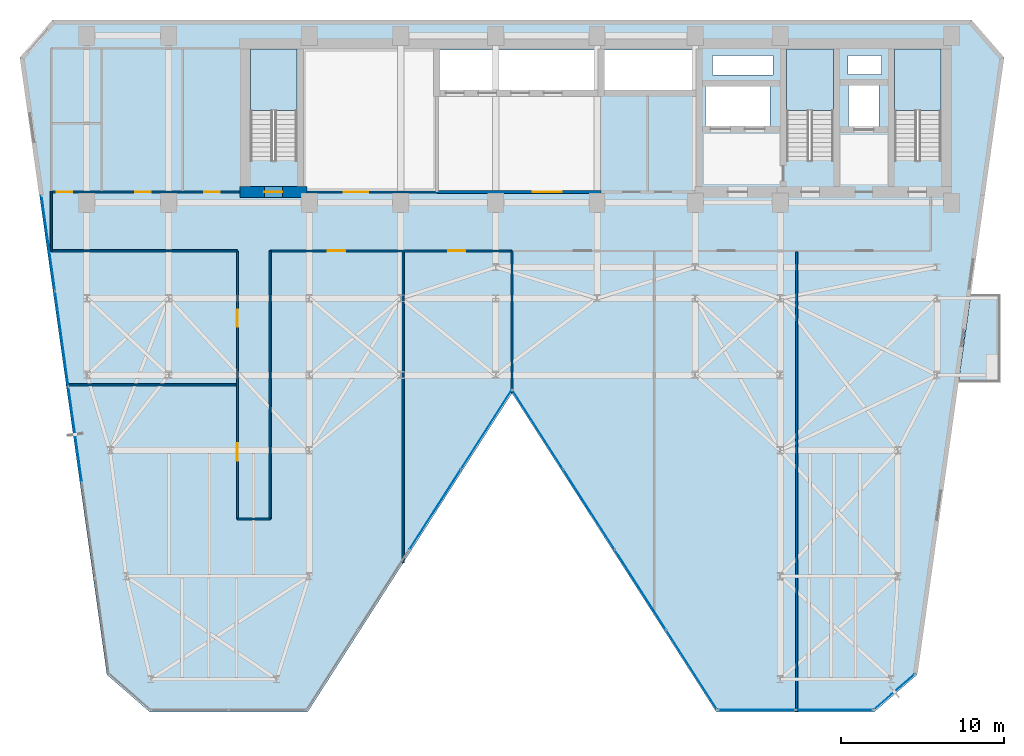
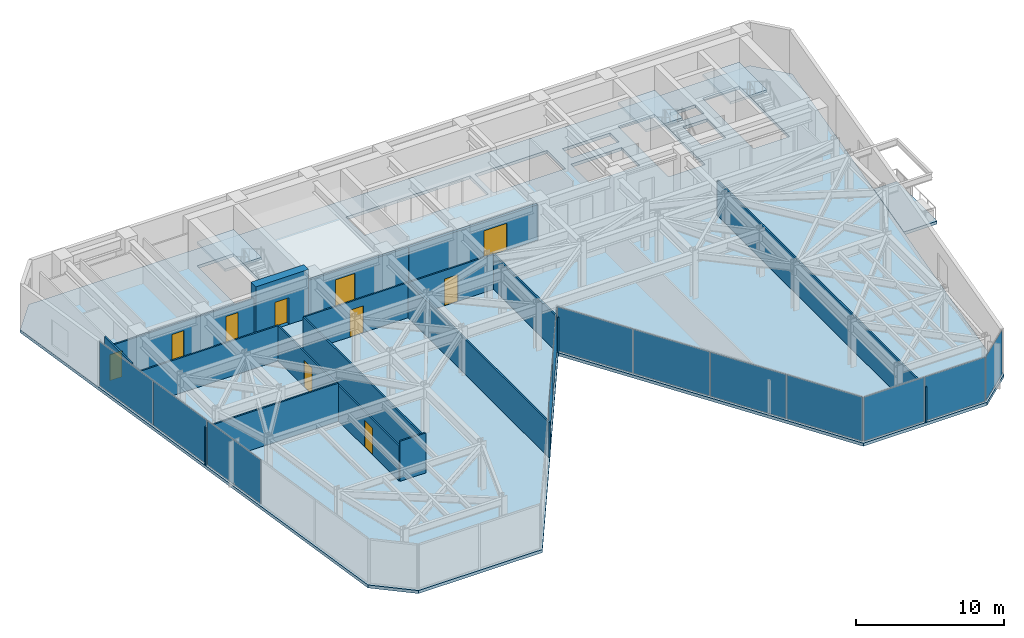
# One storey, part 21 of 26: 14 walls, 12 plates, 10 doors, 5 slabs, 10 openings, 8 elements without a shape of their own.
"""IFC4 building model written with IfcOpenShell, lengths in metres."""

from ifc_helpers import new_model, si_unit, direction, frame, frame_2d, origin, origin_2d, place, context, subcontext, project, spatial, polyline, rectangle, outline, extrude, material, layer, layer_set, type_object, element, fill, aggregate, save


model = new_model("IFC4")

# Units and contexts
model_context = context("Model", 3, precision=1e-05, world=origin(), true_north=direction((0.0, 1.0)))
body_context = subcontext(model_context, "Body", "Model", "MODEL_VIEW")
ifc_project = project(units=[si_unit("LENGTHUNIT", "METRE"), si_unit("AREAUNIT", "SQUARE_METRE"), si_unit("VOLUMEUNIT", "CUBIC_METRE"), si_unit("PLANEANGLEUNIT", "RADIAN"), si_unit("MASSUNIT", "GRAM", prefix="KILO")], contexts=[model_context])

# Site, building, storey
site_placement = place(None, origin())
site = spatial("IfcSite", under=ifc_project, at=site_placement, CompositionType="ELEMENT")
building_placement = place(site_placement, origin())
building = spatial("IfcBuilding", under=site, at=building_placement, Name="Kravanh Interchange Tower", CompositionType="ELEMENT")
storey_placement = place(building_placement, frame((0.0, 0.0, 116.0)))
storey = spatial("IfcBuildingStorey", under=building, at=storey_placement, Name="L27", CompositionType="ELEMENT", Elevation=116.0)

# Slab
ifc_material_1 = material(Name="Concrete C50/60", Category="concrete")
ifc_layer_1 = layer(ifc_material_1, 0.25)
ifc_layer_set_1 = layer_set([ifc_layer_1], Name="Composite Floor Slab Concrete C50/60 250mm")
slab_type_1 = type_object("IfcSlabType", Name="Composite Floor Slab Concrete C50/60 250mm", PredefinedType="FLOOR", material=ifc_layer_set_1)
slab_1_placement = place(storey_placement, frame((0.0, 0.0, -0.25)))
element("IfcSlab", 1, at=slab_1_placement, inside=storey, type_object=slab_type_1, Name="L27 Structural Floor Slab", PredefinedType="FLOOR", context=body_context, shape_type="SweptSolid", body=[
    extrude(outline(polyline([(14.82470703125, 8.4775390625), (17.44482421875, 6.199951171875), (27.10009765625, 6.199951171875), (39.60009765625, 25.699951171875), (52.10009765625, 6.199951171875), (61.755126953125, 6.199951171875), (64.375244140625, 8.4775390625), (69.679931640625, 46.222412109375), (67.699951171875, 48.5), (11.5, 48.5), (9.52001953125, 46.222412109375), (14.82470703125, 8.4775390625)]), holes=[polyline([(65.85009765625, 39.925048828125), (65.85009765625, 46.75), (63.0, 46.75), (63.0, 39.925048828125), (65.85009765625, 39.925048828125)]), polyline([(59.25, 39.925048828125), (59.25, 46.75), (56.39990234375, 46.75), (56.39990234375, 39.925048828125), (59.25, 39.925048828125)]), polyline([(26.449951171875, 39.925048828125), (26.449951171875, 46.75), (23.60009765625, 46.75), (23.60009765625, 39.925048828125), (26.449951171875, 39.925048828125)]), polyline([(35.179931640625, 44.219970703125), (44.840087890625, 44.219970703125), (44.840087890625, 46.699951171875), (35.179931640625, 46.699951171875), (35.179931640625, 44.219970703125)]), polyline([(45.239990234375, 44.219970703125), (50.840087890625, 44.219970703125), (50.840087890625, 46.699951171875), (45.239990234375, 46.699951171875), (45.239990234375, 44.219970703125)]), polyline([(51.419921875, 42.02001953125), (55.3798828125, 42.02001953125), (55.3798828125, 44.47998046875), (51.419921875, 44.47998046875), (51.419921875, 42.02001953125)]), polyline([(60.179931640625, 41.97998046875), (62.06005859375, 41.97998046875), (62.06005859375, 44.52001953125), (60.179931640625, 44.52001953125), (60.179931640625, 41.97998046875)]), polyline([(60.14990234375, 45.199951171875), (62.199951171875, 45.199951171875), (62.199951171875, 46.35009765625), (60.14990234375, 46.35009765625), (60.14990234375, 45.199951171875)]), polyline([(51.85009765625, 45.14990234375), (55.550048828125, 45.14990234375), (55.550048828125, 46.35009765625), (51.85009765625, 46.35009765625), (51.85009765625, 45.14990234375)])]), origin(), (0.0, 0.0, 1.0), 0.25),
])

# Stair, slab
ifc_material_2 = material(Name="Concrete C50/60", Category="concrete")
stair_type = type_object("IfcStairType", Name="Core Fire Exit Dogleg Stair Concrete C50/60", PredefinedType="HALF_TURN_STAIR", material=ifc_material_2)
stair_1_placement = place(storey_placement, origin())
stair_1 = element("IfcStair", 2, at=stair_1_placement, inside=storey, type_object=stair_type, Name="L27 Exit Stair ST1", PredefinedType="HALF_TURN_STAIR")
ifc_material_3 = material(Name="Concrete C50/60", Category="concrete")
ifc_layer_2 = layer(ifc_material_3, 0.199951171875)
ifc_layer_set_2 = layer_set([ifc_layer_2], Name="Concrete C50/60 Stair Half-Landing Slab 200mm")
slab_type_2 = type_object("IfcSlabType", Name="Concrete C50/60 Stair Half-Landing Slab 200mm", PredefinedType="LANDING", material=ifc_layer_set_2)
slab_2_placement = place(storey_placement, frame((0.0, 0.0, 1.800048828125)))
slab_2 = element("IfcSlab", 3, at=slab_2_placement, type_object=slab_type_2, Name="ST1 landing 1", PredefinedType="LANDING", context=body_context, shape_type="SweptSolid", body=[
    extrude(outline(polyline([(65.85009765625, 42.97998046875), (65.85009765625, 46.75), (63.0, 46.75), (63.0, 42.97998046875), (65.85009765625, 42.97998046875)])), origin(), (0.0, 0.0, 1.0), 0.199951171875),
])
aggregate(stair_1, [slab_2])

stair_2_placement = place(storey_placement, origin())
stair_2 = element("IfcStair", 4, at=stair_2_placement, inside=storey, type_object=stair_type, Name="L27 Exit Stair ST2", PredefinedType="HALF_TURN_STAIR")
slab_3_placement = place(storey_placement, frame((0.0, 0.0, 1.800048828125)))
slab_3 = element("IfcSlab", 5, at=slab_3_placement, type_object=slab_type_2, Name="ST2 landing 1", PredefinedType="LANDING", context=body_context, shape_type="SweptSolid", body=[
    extrude(outline(polyline([(59.25, 42.97998046875), (59.25, 46.75), (56.39990234375, 46.75), (56.39990234375, 42.97998046875), (59.25, 42.97998046875)])), origin(), (0.0, 0.0, 1.0), 0.199951171875),
])
aggregate(stair_2, [slab_3])

stair_3_placement = place(storey_placement, origin())
stair_3 = element("IfcStair", 6, at=stair_3_placement, inside=storey, type_object=stair_type, Name="L27 Exit Stair ST3", PredefinedType="HALF_TURN_STAIR")
slab_4_placement = place(storey_placement, frame((0.0, 0.0, 1.800048828125)))
slab_4 = element("IfcSlab", 7, at=slab_4_placement, type_object=slab_type_2, Name="ST3 landing 1", PredefinedType="LANDING", context=body_context, shape_type="SweptSolid", body=[
    extrude(outline(polyline([(26.449951171875, 42.97998046875), (26.449951171875, 46.75), (23.60009765625, 46.75), (23.60009765625, 42.97998046875), (26.449951171875, 42.97998046875)])), origin(), (0.0, 0.0, 1.0), 0.199951171875),
])
aggregate(stair_3, [slab_4])

# Slab
ifc_material_4 = material(Name="Concrete C50/60", Category="concrete")
ifc_layer_3 = layer(ifc_material_4, 0.199951171875)
ifc_layer_set_3 = layer_set([ifc_layer_3], Name="Planted Tree Balcony Slab Concrete C50/60 200mm")
slab_type_3 = type_object("IfcSlabType", Name="Planted Tree Balcony Slab Concrete C50/60 200mm", PredefinedType="USERDEFINED", material=ifc_layer_set_3)
slab_5_placement = place(storey_placement, frame((0.0, 0.0, -0.25)))
element("IfcSlab", 8, at=slab_5_placement, inside=storey, type_object=slab_type_3, Name="L27 East Tree Planter Balcony Slab", ObjectType="BALCONY", PredefinedType="USERDEFINED", context=body_context, shape_type="SweptSolid", body=[
    extrude(outline(polyline([(69.489990234375, 31.75), (69.489990234375, 26.35009765625), (66.902099609375, 26.35009765625), (67.6611328125, 31.75), (69.489990234375, 31.75)])), origin(), (0.0, 0.0, 1.0), 0.25),
])

# Curtain wall, plates
ifc_material_5 = material(Name="Anodised Bronze Aluminium", Category="aluminium")
ifc_layer_4 = layer(ifc_material_5, 0.179931640625)
ifc_layer_set_4 = layer_set([ifc_layer_4], Name="Unitised Curtain Wall System CW-Z2 Mid Office")
curtain_wall_type = type_object("IfcCurtainWallType", Name="Unitised Curtain Wall System CW-Z2 Mid Office", PredefinedType="NOTDEFINED", material=ifc_layer_set_4)
curtain_wall_1_placement = place(storey_placement, origin())
curtain_wall_1 = element("IfcCurtainWall", 9, at=curtain_wall_1_placement, inside=storey, type_object=curtain_wall_type, Name="L27 Unitised Curtain Wall CW-L27-01", PredefinedType="NOTDEFINED")
ifc_material_6 = material(Name="Low-E Laminated Architectural Glass", Category="glass")
ifc_layer_5 = layer(ifc_material_6, 0.02587890625)
ifc_layer_set_5 = layer_set([ifc_layer_5], Name="Solar-Control Double Glazing 26mm")
plate_type = type_object("IfcPlateType", Name="Solar-Control Double Glazing 26mm", PredefinedType="CURTAIN_PANEL", material=ifc_layer_set_5)
plate_1_placement = place(storey_placement, frame((12.881103515625, 23.16943359375, 0.06005859375), z_axis=(0.0, 0.0, 1.0), x_axis=(-0.13917285118, 0.990268103846, 0.0)))
plate_1 = element("IfcPlate", 10, at=plate_1_placement, type_object=plate_type, Name="CW-Z2 panel 3.1", PredefinedType="CURTAIN_PANEL", context=body_context, shape_type="SweptSolid", body=[
    extrude(rectangle(XDim=5.849853515625, YDim=0.02587890625, at=origin_2d()), origin(), (0.0, 0.0, 1.0), 3.6298828125),
])
plate_2_placement = place(storey_placement, frame((12.058837890625, 29.021728515625, 0.06005859375), z_axis=(0.0, 0.0, 1.0), x_axis=(-0.13917285118, 0.990268103846, 0.0)))
plate_2 = element("IfcPlate", 11, at=plate_2_placement, type_object=plate_type, Name="CW-Z2 panel 4.1", PredefinedType="CURTAIN_PANEL", context=body_context, shape_type="SweptSolid", body=[
    extrude(rectangle(XDim=5.849853515625, YDim=0.02587890625, at=origin_2d()), origin(), (0.0, 0.0, 1.0), 3.6298828125),
])
plate_3_placement = place(storey_placement, frame((11.23828125, 34.859130859375, 0.06005859375), z_axis=(0.0, 0.0, 1.0), x_axis=(-0.13917285118, 0.990268103846, 0.0)))
plate_3 = element("IfcPlate", 12, at=plate_3_placement, type_object=plate_type, Name="CW-Z2 panel 5.1", PredefinedType="CURTAIN_PANEL", context=body_context, shape_type="SweptSolid", body=[
    extrude(rectangle(XDim=5.81982421875, YDim=0.02587890625, at=origin_2d()), origin(), (0.0, 0.0, 1.0), 3.6298828125),
])
aggregate(curtain_wall_1, [plate_1, plate_2, plate_3])

# Curtain wall, plate
curtain_wall_2_placement = place(storey_placement, origin())
curtain_wall_2 = element("IfcCurtainWall", 13, at=curtain_wall_2_placement, inside=storey, type_object=curtain_wall_type, Name="L27 Unitised Curtain Wall CW-L27-02", PredefinedType="NOTDEFINED")
plate_4_placement = place(storey_placement, frame((62.986328125, 7.429443359375, 0.06005859375), z_axis=(0.0, 0.0, 1.0), x_axis=(-0.754719458103, -0.656047665617, 0.0)))
plate_4 = element("IfcPlate", 14, at=plate_4_placement, type_object=plate_type, Name="CW-Z2 panel 1.1", PredefinedType="CURTAIN_PANEL", context=body_context, shape_type="SweptSolid", body=[
    extrude(rectangle(XDim=3.261962890625, YDim=0.02587890625, at=origin_2d()), origin(), (0.0, 0.0, 1.0), 3.6298828125),
])
aggregate(curtain_wall_2, [plate_4])

# Curtain wall, plates
curtain_wall_3_placement = place(storey_placement, origin())
curtain_wall_3 = element("IfcCurtainWall", 15, at=curtain_wall_3_placement, inside=storey, type_object=curtain_wall_type, Name="L27 Unitised Curtain Wall CW-L27-03", PredefinedType="NOTDEFINED")
plate_5_placement = place(storey_placement, frame((59.30908203125, 6.320068359375, 0.06005859375), z_axis=(0.0, 0.0, 1.0), x_axis=(-1.0, 0.0, 0.0)))
plate_5 = element("IfcPlate", 16, at=plate_5_placement, type_object=plate_type, Name="CW-Z2 panel 1.1", PredefinedType="CURTAIN_PANEL", context=body_context, shape_type="SweptSolid", body=[
    extrude(rectangle(XDim=4.682373046875, YDim=0.02587890625, at=origin_2d()), origin(), (0.0, 0.0, 1.0), 3.6298828125),
])
plate_6_placement = place(storey_placement, frame((54.566650390625, 6.320068359375, 0.06005859375), z_axis=(0.0, 0.0, 1.0), x_axis=(-1.0, 0.0, 0.0)))
plate_6 = element("IfcPlate", 17, at=plate_6_placement, type_object=plate_type, Name="CW-Z2 panel 2.1", PredefinedType="CURTAIN_PANEL", context=body_context, shape_type="SweptSolid", body=[
    extrude(rectangle(XDim=4.682373046875, YDim=0.02587890625, at=origin_2d()), origin(), (0.0, 0.0, 1.0), 3.6298828125),
])
aggregate(curtain_wall_3, [plate_5, plate_6])

curtain_wall_4_placement = place(storey_placement, origin())
curtain_wall_4 = element("IfcCurtainWall", 18, at=curtain_wall_4_placement, inside=storey, type_object=curtain_wall_type, Name="L27 Unitised Curtain Wall CW-L27-04", PredefinedType="NOTDEFINED")
plate_7_placement = place(storey_placement, frame((50.5869140625, 8.782958984375, 0.06005859375), z_axis=(0.0, 0.0, 1.0), x_axis=(-0.539664865919, 0.841879939476, 0.0)))
plate_7 = element("IfcPlate", 19, at=plate_7_placement, type_object=plate_type, Name="CW-Z2 panel 1.1", PredefinedType="CURTAIN_PANEL", context=body_context, shape_type="SweptSolid", body=[
    extrude(rectangle(XDim=5.73095703125, YDim=0.02587890625, at=origin_2d()), origin(), (0.0, 0.0, 1.0), 3.6298828125),
])
plate_8_placement = place(storey_placement, frame((47.45361328125, 13.6708984375, 0.06005859375), z_axis=(0.0, 0.0, 1.0), x_axis=(-0.539664865919, 0.841879939476, 0.0)))
plate_8 = element("IfcPlate", 20, at=plate_8_placement, type_object=plate_type, Name="CW-Z2 panel 2.1", PredefinedType="CURTAIN_PANEL", context=body_context, shape_type="SweptSolid", body=[
    extrude(rectangle(XDim=5.760986328125, YDim=0.02587890625, at=origin_2d()), origin(), (0.0, 0.0, 1.0), 3.6298828125),
])
plate_9_placement = place(storey_placement, frame((44.31201171875, 18.571533203125, 0.06005859375), z_axis=(0.0, 0.0, 1.0), x_axis=(-0.539664865919, 0.841879939476, 0.0)))
plate_9 = element("IfcPlate", 21, at=plate_9_placement, type_object=plate_type, Name="CW-Z2 panel 3.1", PredefinedType="CURTAIN_PANEL", context=body_context, shape_type="SweptSolid", body=[
    extrude(rectangle(XDim=5.760986328125, YDim=0.02587890625, at=origin_2d()), origin(), (0.0, 0.0, 1.0), 3.6298828125),
])
plate_10_placement = place(storey_placement, frame((41.1787109375, 23.45947265625, 0.06005859375), z_axis=(0.0, 0.0, 1.0), x_axis=(-0.539664865919, 0.841879939476, 0.0)))
plate_10 = element("IfcPlate", 22, at=plate_10_placement, type_object=plate_type, Name="CW-Z2 panel 4.1", PredefinedType="CURTAIN_PANEL", context=body_context, shape_type="SweptSolid", body=[
    extrude(rectangle(XDim=5.73095703125, YDim=0.02587890625, at=origin_2d()), origin(), (0.0, 0.0, 1.0), 3.6298828125),
])
aggregate(curtain_wall_4, [plate_7, plate_8, plate_9, plate_10])

curtain_wall_5_placement = place(storey_placement, origin())
curtain_wall_5 = element("IfcCurtainWall", 23, at=curtain_wall_5_placement, inside=storey, type_object=curtain_wall_type, Name="L27 Unitised Curtain Wall CW-L27-05", PredefinedType="NOTDEFINED")
plate_11_placement = place(storey_placement, frame((38.021240234375, 23.45947265625, 0.06005859375), z_axis=(0.0, 0.0, 1.0), x_axis=(-0.539664865919, -0.841879939476, 0.0)))
plate_11 = element("IfcPlate", 24, at=plate_11_placement, type_object=plate_type, Name="CW-Z2 panel 1.1", PredefinedType="CURTAIN_PANEL", context=body_context, shape_type="SweptSolid", body=[
    extrude(rectangle(XDim=5.73095703125, YDim=0.02587890625, at=origin_2d()), origin(), (0.0, 0.0, 1.0), 3.6298828125),
])
plate_12_placement = place(storey_placement, frame((34.887939453125, 18.571533203125, 0.06005859375), z_axis=(0.0, 0.0, 1.0), x_axis=(-0.539664865919, -0.841879939476, 0.0)))
plate_12 = element("IfcPlate", 25, at=plate_12_placement, type_object=plate_type, Name="CW-Z2 panel 2.1", PredefinedType="CURTAIN_PANEL", context=body_context, shape_type="SweptSolid", body=[
    extrude(rectangle(XDim=5.760986328125, YDim=0.02587890625, at=origin_2d()), origin(), (0.0, 0.0, 1.0), 3.6298828125),
])
aggregate(curtain_wall_5, [plate_11, plate_12])

# Wall, openings, doors
ifc_material_7 = material(Name="Double Acoustic Gypsum Board and Mineral Wool")
ifc_layer_6 = layer(ifc_material_7, 0.1201171875)
ifc_layer_set_6 = layer_set([ifc_layer_6], Name="Acoustic Office Drywall Partition 120mm")
wall_type_1 = type_object("IfcWallType", Name="Acoustic Office Drywall Partition 120mm", PredefinedType="PARTITIONING", material=ifc_layer_set_6)
wall_1_placement = place(storey_placement, frame((11.419921875, 38.0, 0.0), z_axis=(0.0, 0.0, 1.0), x_axis=(1.0, 0.0, 0.0)))
wall_1 = element("IfcWall", 26, at=wall_1_placement, inside=storey, type_object=wall_type_1, Name="L27 Restroom Corridor Wall 6", PredefinedType="PARTITIONING", context=body_context, shape_type="SweptSolid", body=[
    extrude(rectangle(XDim=11.530029296875, YDim=0.1201171875, at=frame_2d((5.76513671875, 0.0))), origin(), (0.0, 0.0, 1.0), 2.89404296875),
])
opening_1_placement = place(wall_1_placement, frame((0.3427734375, 0.0, 0.0)))
opening_1 = element("IfcOpeningElement", 27, at=opening_1_placement, cuts=wall_1, Name="Opening D-95", PredefinedType="OPENING", context=body_context, shape_type="SweptSolid", body=[
    extrude(rectangle(XDim=0.949951171875, YDim=2.14990234375, at=frame_2d((0.47509765625, 1.074951171875))), frame((0.0, 0.070068359375, 0.0), z_axis=(0.0, -1.0, 0.0), x_axis=(1.0, 0.0, 0.0)), (0.0, 0.0, 1.0), 0.14013671875),
])
opening_2_placement = place(wall_1_placement, frame((5.130126953125, 0.0, 0.0)))
opening_2 = element("IfcOpeningElement", 28, at=opening_2_placement, cuts=wall_1, Name="Opening D-95", PredefinedType="OPENING", context=body_context, shape_type="SweptSolid", body=[
    extrude(rectangle(XDim=0.949951171875, YDim=2.14990234375, at=frame_2d((0.47509765625, 1.074951171875))), frame((0.0, 0.070068359375, 0.0), z_axis=(0.0, -1.0, 0.0), x_axis=(1.0, 0.0, 0.0)), (0.0, 0.0, 1.0), 0.14013671875),
])
opening_3_placement = place(wall_1_placement, frame((9.344970703125, 0.0, 0.0)))
opening_3 = element("IfcOpeningElement", 29, at=opening_3_placement, cuts=wall_1, Name="Opening D-95", PredefinedType="OPENING", context=body_context, shape_type="SweptSolid", body=[
    extrude(rectangle(XDim=0.949951171875, YDim=2.14990234375, at=frame_2d((0.47509765625, 1.074951171875))), frame((0.0, 0.070068359375, 0.0), z_axis=(0.0, -1.0, 0.0), x_axis=(1.0, 0.0, 0.0)), (0.0, 0.0, 1.0), 0.14013671875),
])
ifc_material_8 = material(Name="Laminate Solid-Core Timber", Category="wood")
door_type_1 = type_object("IfcDoorType", Name="Accessible Restroom Door 950x2150", OperationType="NOTDEFINED", PredefinedType="DOOR", material=ifc_material_8)
door_1_placement = place(opening_1_placement, origin())
door_1 = element("IfcDoor", 30, at=door_1_placement, inside=storey, type_object=door_type_1, Name="L27 Accessible WC Door", OperationType="SINGLE_SWING_RIGHT", OverallHeight=2.14990234375, OverallWidth=0.949951171875, PredefinedType="DOOR", context=body_context, shape_type="SweptSolid", body=[
    extrude(rectangle(XDim=0.949951171875, YDim=2.14990234375, at=frame_2d((0.47509765625, 1.074951171875))), frame((0.0, 0.02490234375, 0.0), z_axis=(0.0, -1.0, 0.0), x_axis=(1.0, 0.0, 0.0)), (0.0, 0.0, 1.0), 0.050048828125),
])
fill(opening_1, door_1)
door_2_placement = place(opening_2_placement, origin())
door_2 = element("IfcDoor", 31, at=door_2_placement, inside=storey, type_object=door_type_1, Name="L27 Female WC Door", OperationType="SINGLE_SWING_LEFT", OverallHeight=2.14990234375, OverallWidth=0.949951171875, PredefinedType="DOOR", context=body_context, shape_type="SweptSolid", body=[
    extrude(rectangle(XDim=0.949951171875, YDim=2.14990234375, at=frame_2d((0.47509765625, 1.074951171875))), frame((0.0, 0.02490234375, 0.0), z_axis=(0.0, -1.0, 0.0), x_axis=(1.0, 0.0, 0.0)), (0.0, 0.0, 1.0), 0.050048828125),
])
fill(opening_2, door_2)
door_3_placement = place(opening_3_placement, origin())
door_3 = element("IfcDoor", 32, at=door_3_placement, inside=storey, type_object=door_type_1, Name="L27 Male WC Door", OperationType="SINGLE_SWING_RIGHT", OverallHeight=2.14990234375, OverallWidth=0.949951171875, PredefinedType="DOOR", context=body_context, shape_type="SweptSolid", body=[
    extrude(rectangle(XDim=0.949951171875, YDim=2.14990234375, at=frame_2d((0.47509765625, 1.074951171875))), frame((0.0, 0.02490234375, 0.0), z_axis=(0.0, -1.0, 0.0), x_axis=(1.0, 0.0, 0.0)), (0.0, 0.0, 1.0), 0.050048828125),
])
fill(opening_3, door_3)

# Wall
wall_2_placement = place(storey_placement, frame((11.419921875, 34.39990234375, 0.0), z_axis=(0.0, 0.0, 1.0), x_axis=(1.0, 0.0, 0.0)))
element("IfcWall", 33, at=wall_2_placement, inside=storey, type_object=wall_type_1, Name="L27 Interior Partition 12", PredefinedType="PARTITIONING", context=body_context, shape_type="SweptSolid", body=[
    extrude(rectangle(XDim=11.380126953125, YDim=0.1201171875, at=frame_2d((5.68994140625, 0.0))), origin(), (0.0, 0.0, 1.0), 2.89404296875),
])

# Wall, openings, doors
wall_3_placement = place(storey_placement, frame((24.800048828125, 34.39990234375, 0.0), z_axis=(0.0, 0.0, 1.0), x_axis=(1.0, 0.0, 0.0)))
wall_3 = element("IfcWall", 34, at=wall_3_placement, inside=storey, type_object=wall_type_1, Name="L27 Interior Partition 13", PredefinedType="PARTITIONING", context=body_context, shape_type="SweptSolid", body=[
    extrude(rectangle(XDim=14.800048828125, YDim=0.1201171875, at=frame_2d((7.39990234375, 0.0))), origin(), (0.0, 0.0, 1.0), 2.89404296875),
])
opening_4_placement = place(wall_3_placement, frame((3.544921875, 0.0, 0.0)))
opening_4 = element("IfcOpeningElement", 35, at=opening_4_placement, cuts=wall_3, Name="Opening D-105", PredefinedType="OPENING", context=body_context, shape_type="SweptSolid", body=[
    extrude(rectangle(XDim=1.050048828125, YDim=2.199951171875, at=frame_2d((0.52490234375, 1.10009765625))), frame((0.0, 0.070068359375, 0.0), z_axis=(0.0, -1.0, 0.0), x_axis=(1.0, 0.0, 0.0)), (0.0, 0.0, 1.0), 0.14013671875),
])
opening_5_placement = place(wall_3_placement, frame((10.904296875, 0.0, 0.0)))
opening_5 = element("IfcOpeningElement", 36, at=opening_5_placement, cuts=wall_3, Name="Opening D-105", PredefinedType="OPENING", context=body_context, shape_type="SweptSolid", body=[
    extrude(rectangle(XDim=1.050048828125, YDim=2.199951171875, at=frame_2d((0.52490234375, 1.10009765625))), frame((0.0, 0.070068359375, 0.0), z_axis=(0.0, -1.0, 0.0), x_axis=(1.0, 0.0, 0.0)), (0.0, 0.0, 1.0), 0.14013671875),
])
ifc_material_9 = material(Name="Acoustic Glazed Oak and Aluminium", Category="aluminium")
door_type_2 = type_object("IfcDoorType", Name="Office Workplace Door 1050x2200", OperationType="NOTDEFINED", PredefinedType="DOOR", material=ifc_material_9)
door_4_placement = place(opening_4_placement, origin())
door_4 = element("IfcDoor", 37, at=door_4_placement, inside=storey, type_object=door_type_2, Name="L27 Collaboration Club Lounge Door", OperationType="SINGLE_SWING_LEFT", OverallHeight=2.199951171875, OverallWidth=1.050048828125, PredefinedType="DOOR", context=body_context, shape_type="SweptSolid", body=[
    extrude(rectangle(XDim=1.050048828125, YDim=2.199951171875, at=frame_2d((0.52490234375, 1.10009765625))), frame((0.0, 0.02490234375, 0.0), z_axis=(0.0, -1.0, 0.0), x_axis=(1.0, 0.0, 0.0)), (0.0, 0.0, 1.0), 0.050048828125),
])
fill(opening_4, door_4)
door_5_placement = place(opening_5_placement, origin())
door_5 = element("IfcDoor", 38, at=door_5_placement, inside=storey, type_object=door_type_2, Name="L27 Atrium Overlook Lounge Door", OperationType="SINGLE_SWING_RIGHT", OverallHeight=2.199951171875, OverallWidth=1.050048828125, PredefinedType="DOOR", context=body_context, shape_type="SweptSolid", body=[
    extrude(rectangle(XDim=1.050048828125, YDim=2.199951171875, at=frame_2d((0.52490234375, 1.10009765625))), frame((0.0, 0.02490234375, 0.0), z_axis=(0.0, -1.0, 0.0), x_axis=(1.0, 0.0, 0.0)), (0.0, 0.0, 1.0), 0.050048828125),
])
fill(opening_5, door_5)

# Wall
wall_4_placement = place(storey_placement, frame((11.419921875, 34.39990234375, 0.0), z_axis=(0.0, 0.0, 1.0), x_axis=(0.0, 1.0, 0.0)))
element("IfcWall", 39, at=wall_4_placement, inside=storey, type_object=wall_type_1, Name="L27 Interior Partition 15", PredefinedType="PARTITIONING", context=body_context, shape_type="SweptSolid", body=[
    extrude(rectangle(XDim=3.650146484375, YDim=0.1201171875, at=frame_2d((1.8251953125, 0.0))), origin(), (0.0, 0.0, 1.0), 3.75),
])

# Wall, openings, doors
wall_5_placement = place(storey_placement, frame((22.800048828125, 18.0, 0.0), z_axis=(0.0, 0.0, 1.0), x_axis=(0.0, 1.0, 0.0)))
wall_5 = element("IfcWall", 40, at=wall_5_placement, inside=storey, type_object=wall_type_1, Name="L27 Interior Partition 17", PredefinedType="PARTITIONING", context=body_context, shape_type="SweptSolid", body=[
    extrude(rectangle(XDim=16.39990234375, YDim=0.1201171875, at=frame_2d((8.199951171875, 0.0))), origin(), (0.0, 0.0, 1.0), 2.89404296875),
])
opening_6_placement = place(wall_5_placement, frame((3.574951171875, 0.0, 0.0)))
opening_6 = element("IfcOpeningElement", 41, at=opening_6_placement, cuts=wall_5, Name="Opening D-105", PredefinedType="OPENING", context=body_context, shape_type="SweptSolid", body=[
    extrude(rectangle(XDim=1.050048828125, YDim=2.199951171875, at=frame_2d((0.52490234375, 1.10009765625))), frame((0.0, 0.070068359375, 0.0), z_axis=(0.0, -1.0, 0.0), x_axis=(1.0, 0.0, 0.0)), (0.0, 0.0, 1.0), 0.14013671875),
])
opening_7_placement = place(wall_5_placement, frame((11.75, 0.0, 0.0)))
opening_7 = element("IfcOpeningElement", 42, at=opening_7_placement, cuts=wall_5, Name="Opening D-105", PredefinedType="OPENING", context=body_context, shape_type="SweptSolid", body=[
    extrude(rectangle(XDim=1.050048828125, YDim=2.199951171875, at=frame_2d((0.52490234375, 1.10009765625))), frame((0.0, 0.070068359375, 0.0), z_axis=(0.0, -1.0, 0.0), x_axis=(1.0, 0.0, 0.0)), (0.0, 0.0, 1.0), 0.14013671875),
])
door_6_placement = place(opening_6_placement, origin())
door_6 = element("IfcDoor", 43, at=door_6_placement, inside=storey, type_object=door_type_2, Name="L27 SW Reading Lounge Door", OperationType="SINGLE_SWING_LEFT", OverallHeight=2.199951171875, OverallWidth=1.050048828125, PredefinedType="DOOR", context=body_context, shape_type="SweptSolid", body=[
    extrude(rectangle(XDim=1.050048828125, YDim=2.199951171875, at=frame_2d((0.52490234375, 1.10009765625))), frame((0.0, 0.02490234375, 0.0), z_axis=(0.0, -1.0, 0.0), x_axis=(1.0, 0.0, 0.0)), (0.0, 0.0, 1.0), 0.050048828125),
])
fill(opening_6, door_6)
door_7_placement = place(opening_7_placement, origin())
door_7 = element("IfcDoor", 44, at=door_7_placement, inside=storey, type_object=door_type_2, Name="L27 Espresso Kitchenette Door", OperationType="SINGLE_SWING_RIGHT", OverallHeight=2.199951171875, OverallWidth=1.050048828125, PredefinedType="DOOR", context=body_context, shape_type="SweptSolid", body=[
    extrude(rectangle(XDim=1.050048828125, YDim=2.199951171875, at=frame_2d((0.52490234375, 1.10009765625))), frame((0.0, 0.02490234375, 0.0), z_axis=(0.0, -1.0, 0.0), x_axis=(1.0, 0.0, 0.0)), (0.0, 0.0, 1.0), 0.050048828125),
])
fill(opening_7, door_7)

# Walls
wall_6_placement = place(storey_placement, frame((24.800048828125, 18.0, 0.0), z_axis=(0.0, 0.0, 1.0), x_axis=(0.0, 1.0, 0.0)))
element("IfcWall", 45, at=wall_6_placement, inside=storey, type_object=wall_type_1, Name="L27 Interior Partition 18", PredefinedType="PARTITIONING", context=body_context, shape_type="SweptSolid", body=[
    extrude(rectangle(XDim=16.39990234375, YDim=0.1201171875, at=frame_2d((8.199951171875, 0.0))), origin(), (0.0, 0.0, 1.0), 2.89404296875),
])
wall_7_placement = place(storey_placement, frame((22.800048828125, 18.0, 0.0), z_axis=(0.0, 0.0, 1.0), x_axis=(1.0, 0.0, 0.0)))
element("IfcWall", 46, at=wall_7_placement, inside=storey, type_object=wall_type_1, Name="L27 Interior Partition 19", PredefinedType="PARTITIONING", context=body_context, shape_type="SweptSolid", body=[
    extrude(rectangle(XDim=2.0, YDim=0.1201171875, at=frame_2d((1.0, 0.0))), origin(), (0.0, 0.0, 1.0), 3.29296875),
])
wall_8_placement = place(storey_placement, frame((12.34912109375, 26.199951171875, 0.0), z_axis=(0.0, 0.0, 1.0), x_axis=(1.0, 0.0, 0.0)))
element("IfcWall", 47, at=wall_8_placement, inside=storey, type_object=wall_type_1, Name="L27 Interior Partition 20", PredefinedType="PARTITIONING", context=body_context, shape_type="SweptSolid", body=[
    extrude(rectangle(XDim=10.3828125, YDim=0.1201171875, at=frame_2d((5.19140625, 0.0))), origin(), (0.0, 0.0, 1.0), 3.14208984375),
])
wall_9_placement = place(storey_placement, frame((39.60009765625, 25.727783203125, 0.0), z_axis=(0.0, 0.0, 1.0), x_axis=(0.0, 1.0, 0.0)))
element("IfcWall", 48, at=wall_9_placement, inside=storey, type_object=wall_type_1, Name="L27 Interior Partition 21", PredefinedType="PARTITIONING", context=body_context, shape_type="SweptSolid", body=[
    extrude(rectangle(XDim=8.672119140625, YDim=0.1201171875, at=frame_2d((4.3359375, 0.0))), origin(), (0.0, 0.0, 1.0), 2.89404296875),
])
wall_10_placement = place(storey_placement, frame((32.93994140625, 15.338134765625, 0.0), z_axis=(0.0, 0.0, 1.0), x_axis=(0.0, 1.0, 0.0)))
element("IfcWall", 49, at=wall_10_placement, inside=storey, type_object=wall_type_1, Name="L27 Interior Partition 22", PredefinedType="PARTITIONING", context=body_context, shape_type="SweptSolid", body=[
    extrude(rectangle(XDim=18.993896484375, YDim=0.1201171875, at=frame_2d((9.4970703125, 0.0))), origin(), (0.0, 0.0, 1.0), 2.89404296875),
])
wall_11_placement = place(storey_placement, frame((57.010009765625, 6.215087890625, 0.0), z_axis=(0.0, 0.0, 1.0), x_axis=(0.0, 1.0, 0.0)))
element("IfcWall", 50, at=wall_11_placement, inside=storey, type_object=wall_type_1, Name="L27 Interior Partition 24", PredefinedType="PARTITIONING", context=body_context, shape_type="SweptSolid", body=[
    extrude(rectangle(XDim=28.116943359375, YDim=0.1201171875, at=frame_2d((14.05859375, 0.0))), origin(), (0.0, 0.0, 1.0), 2.89404296875),
])

# Wall, opening, door
ifc_material_10 = material(Name="Concrete C70/85", Category="concrete")
ifc_layer_7 = layer(ifc_material_10, 0.64990234375)
ifc_layer_set_7 = layer_set([ifc_layer_7], Name="Core Shear Wall Concrete C70/85 650mm")
wall_type_2 = type_object("IfcWallType", Name="Core Shear Wall Concrete C70/85 650mm", PredefinedType="SHEAR", material=ifc_layer_set_7)
wall_12_placement = place(storey_placement, frame((22.949951171875, 38.0, 0.0), z_axis=(0.0, 0.0, 1.0), x_axis=(1.0, 0.0, 0.0)))
wall_12 = element("IfcWall", 51, at=wall_12_placement, inside=storey, type_object=wall_type_2, Name="L27 Stair ST3 South Shear Wall", PredefinedType="SHEAR", context=body_context, shape_type="SweptSolid", body=[
    extrude(rectangle(XDim=4.10009765625, YDim=0.64990234375, at=frame_2d((2.050048828125, 0.0))), origin(), (0.0, 0.0, 1.0), 4.0),
])
opening_8_placement = place(wall_12_placement, frame((1.5, 0.0, 0.0)))
opening_8 = element("IfcOpeningElement", 52, at=opening_8_placement, cuts=wall_12, Name="Opening D-STAIR-110", PredefinedType="OPENING", context=body_context, shape_type="SweptSolid", body=[
    extrude(rectangle(XDim=1.10009765625, YDim=2.199951171875, at=frame_2d((0.550048828125, 1.10009765625))), frame((0.0, 0.3349609375, 0.0), z_axis=(0.0, -1.0, 0.0), x_axis=(1.0, 0.0, 0.0)), (0.0, 0.0, 1.0), 0.669921875),
])
ifc_material_11 = material(Name="Structural Steel S355", Category="steel")
door_type_3 = type_object("IfcDoorType", Name="Fire-Rated Exit Stair Door 1100x2200", OperationType="NOTDEFINED", PredefinedType="DOOR", material=ifc_material_11)
door_8_placement = place(opening_8_placement, origin())
door_8 = element("IfcDoor", 53, at=door_8_placement, inside=storey, type_object=door_type_3, Name="L27 Exit Stair ST3 Door", OperationType="SINGLE_SWING_RIGHT", OverallHeight=2.199951171875, OverallWidth=1.10009765625, PredefinedType="DOOR", context=body_context, shape_type="SweptSolid", body=[
    extrude(rectangle(XDim=1.10009765625, YDim=2.199951171875, at=frame_2d((0.550048828125, 1.10009765625))), frame((0.0, 0.02490234375, 0.0), z_axis=(0.0, -1.0, 0.0), x_axis=(1.0, 0.0, 0.0)), (0.0, 0.0, 1.0), 0.050048828125),
])
fill(opening_8, door_8)

ifc_material_12 = material(Name="Autoclaved Aerated Concrete C30/37 Blockwork", Category="masonry")
ifc_layer_8 = layer(ifc_material_12, 0.179931640625)
ifc_layer_set_8 = layer_set([ifc_layer_8], Name="Fire-Rated Lobby and Corridor Wall Concrete C30/37 180mm")
wall_type_3 = type_object("IfcWallType", Name="Fire-Rated Lobby and Corridor Wall Concrete C30/37 180mm", PredefinedType="STANDARD", material=ifc_layer_set_8)
wall_13_placement = place(storey_placement, frame((35.0, 38.0, 0.0), z_axis=(0.0, 0.0, 1.0), x_axis=(1.0, 0.0, 0.0)))
wall_13 = element("IfcWall", 54, at=wall_13_placement, inside=storey, type_object=wall_type_3, Name="L27 Interior Partition 5", PredefinedType="STANDARD", context=body_context, shape_type="SweptSolid", body=[
    extrude(rectangle(XDim=10.050048828125, YDim=0.179931640625, at=frame_2d((5.02490234375, 0.0))), origin(), (0.0, 0.0, 1.0), 2.89404296875),
])
opening_9_placement = place(wall_13_placement, frame((5.85791015625, 0.0, 0.0)))
opening_9 = element("IfcOpeningElement", 55, at=opening_9_placement, cuts=wall_13, Name="Opening DBL-180", PredefinedType="OPENING", context=body_context, shape_type="SweptSolid", body=[
    extrude(rectangle(XDim=1.800048828125, YDim=2.199951171875, at=frame_2d((0.89990234375, 1.10009765625))), frame((0.0, 0.10009765625, 0.0), z_axis=(0.0, -1.0, 0.0), x_axis=(1.0, 0.0, 0.0)), (0.0, 0.0, 1.0), 0.199951171875),
])
ifc_material_13 = material(Name="Structural Steel S355", Category="steel")
door_type_4 = type_object("IfcDoorType", Name="Lift Lobby Double Fire Door 1800x2200", OperationType="DOUBLE_DOOR_SINGLE_SWING", PredefinedType="DOOR", material=ifc_material_13)
door_9_placement = place(opening_9_placement, origin())
door_9 = element("IfcDoor", 56, at=door_9_placement, inside=storey, type_object=door_type_4, Name="L27 Mid-Rise Lift Lobby Door", OperationType="DOUBLE_DOOR_SINGLE_SWING", OverallHeight=2.199951171875, OverallWidth=1.800048828125, PredefinedType="DOOR", context=body_context, shape_type="SweptSolid", body=[
    extrude(rectangle(XDim=1.800048828125, YDim=2.199951171875, at=frame_2d((0.89990234375, 1.10009765625))), frame((0.0, 0.02490234375, 0.0), z_axis=(0.0, -1.0, 0.0), x_axis=(1.0, 0.0, 0.0)), (0.0, 0.0, 1.0), 0.050048828125),
])
fill(opening_9, door_9)

ifc_material_14 = material(Name="Twin Stud Acoustic Gypsum Board Wall")
ifc_layer_9 = layer(ifc_material_14, 0.14990234375)
ifc_layer_set_9 = layer_set([ifc_layer_9], Name="Medium-Duty Acoustic Partition 150mm")
wall_type_4 = type_object("IfcWallType", Name="Medium-Duty Acoustic Partition 150mm", PredefinedType="PARTITIONING", material=ifc_layer_set_9)
wall_14_placement = place(storey_placement, frame((27.050048828125, 38.0, 0.0), z_axis=(0.0, 0.0, 1.0), x_axis=(1.0, 0.0, 0.0)))
wall_14 = element("IfcWall", 57, at=wall_14_placement, inside=storey, type_object=wall_type_4, Name="L27 Interior Partition 3", PredefinedType="PARTITIONING", context=body_context, shape_type="SweptSolid", body=[
    extrude(rectangle(XDim=7.949951171875, YDim=0.14990234375, at=frame_2d((3.97509765625, 0.0))), origin(), (0.0, 0.0, 1.0), 2.89404296875),
])
opening_10_placement = place(wall_14_placement, frame((2.25, 0.0, 0.0)))
opening_10 = element("IfcOpeningElement", 58, at=opening_10_placement, cuts=wall_14, Name="Opening DBL-150", PredefinedType="OPENING", context=body_context, shape_type="SweptSolid", body=[
    extrude(rectangle(XDim=1.5, YDim=2.199951171875, at=frame_2d((0.75, 1.10009765625))), frame((0.0, 0.0849609375, 0.0), z_axis=(0.0, -1.0, 0.0), x_axis=(1.0, 0.0, 0.0)), (0.0, 0.0, 1.0), 0.169921875),
])
ifc_material_15 = material(Name="Acoustic Timber and Toughened Glass", Category="wood")
door_type_5 = type_object("IfcDoorType", Name="Conference Hall Double Door 1500x2200", OperationType="DOUBLE_DOOR_SINGLE_SWING", PredefinedType="DOOR", material=ifc_material_15)
door_10_placement = place(opening_10_placement, origin())
door_10 = element("IfcDoor", 59, at=door_10_placement, inside=storey, type_object=door_type_5, Name="L27 Core Wellness Studio Door", OperationType="DOUBLE_DOOR_SINGLE_SWING", OverallHeight=2.199951171875, OverallWidth=1.5, PredefinedType="DOOR", context=body_context, shape_type="SweptSolid", body=[
    extrude(rectangle(XDim=1.5, YDim=2.199951171875, at=frame_2d((0.75, 1.10009765625))), frame((0.0, 0.02490234375, 0.0), z_axis=(0.0, -1.0, 0.0), x_axis=(1.0, 0.0, 0.0)), (0.0, 0.0, 1.0), 0.050048828125),
])
fill(opening_10, door_10)

save(model, "model.ifc")
